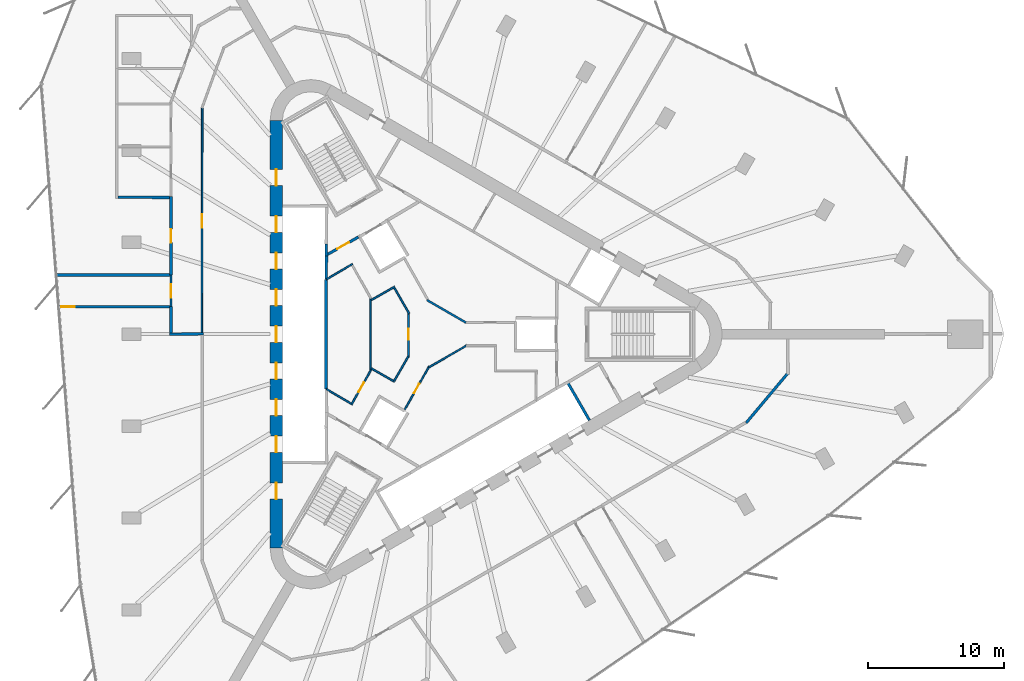
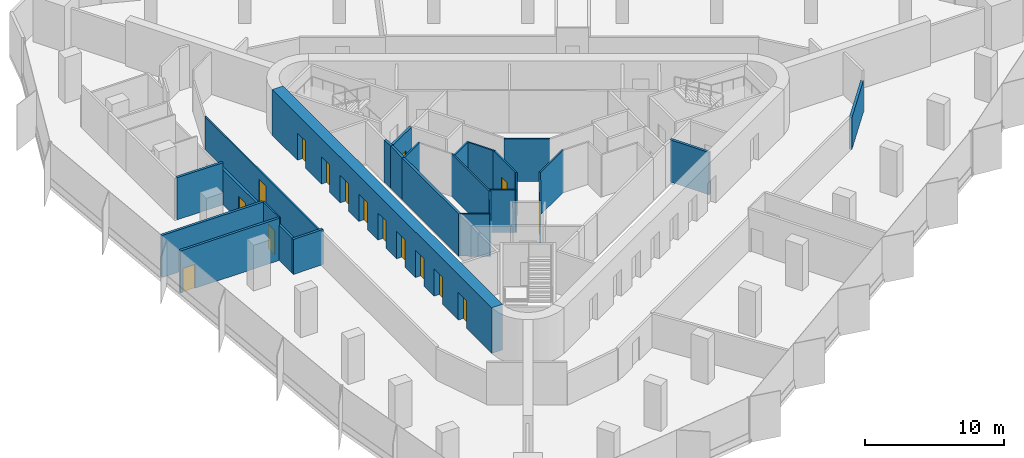
# One storey, part 9 of 13: 27 walls, 17 doors, 17 openings.
"""IFC4 building model written with IfcOpenShell, lengths in metres."""

from ifc_helpers import new_model, si_unit, direction, frame, frame_2d, origin, place, context, subcontext, project, spatial, rectangle, extrude, material, layer, layer_set, type_object, element, fill, save


model = new_model("IFC4")

# Units and contexts
model_context = context("Model", 3, precision=1e-05, world=origin(), true_north=direction((0.0, 1.0)))
body_context = subcontext(model_context, "Body", "Model", "MODEL_VIEW")
ifc_project = project(units=[si_unit("LENGTHUNIT", "METRE"), si_unit("AREAUNIT", "SQUARE_METRE"), si_unit("VOLUMEUNIT", "CUBIC_METRE"), si_unit("PLANEANGLEUNIT", "RADIAN"), si_unit("MASSUNIT", "GRAM", prefix="KILO")], contexts=[model_context])

# Site, building, storey
site_placement = place(None, origin())
site = spatial("IfcSite", under=ifc_project, at=site_placement, CompositionType="ELEMENT")
building_placement = place(site_placement, origin())
building = spatial("IfcBuilding", under=site, at=building_placement, Name="Tanit Gate Tower", CompositionType="ELEMENT")
storey_placement = place(building_placement, frame((0.0, 0.0, 193.199951171875)))
storey = spatial("IfcBuildingStorey", under=building, at=storey_placement, Name="L42", CompositionType="ELEMENT", Elevation=193.199951171875)

# Wall, openings, doors
ifc_material_1 = material(Name="Concrete C50/60", Category="concrete")
ifc_layer_1 = layer(ifc_material_1, 0.89990234375)
ifc_layer_set_1 = layer_set([ifc_layer_1], Name="CORE WALL 900 C50/60")
wall_type_1 = type_object("IfcWallType", Name="CORE WALL 900 C50/60", PredefinedType="SHEAR", material=ifc_layer_set_1)
wall_1_placement = place(storey_placement, frame((-11.64990234375, 15.76171875, 0.0), z_axis=(0.0, 0.0, 1.0), x_axis=(0.0, -1.0, 0.0)))
wall_1 = element("IfcWall", 1, at=wall_1_placement, inside=storey, type_object=wall_type_1, Name="CORE WALL", PredefinedType="SHEAR", context=body_context, shape_type="SweptSolid", body=[
    extrude(rectangle(XDim=31.5234375, YDim=0.89990234375, at=frame_2d((15.76171875, 0.0))), origin(), (0.0, 0.0, 1.0), 4.0),
])
opening_1_placement = place(wall_1_placement, frame((7.061767578125, 0.0, 0.0)))
opening_1 = element("IfcOpeningElement", 2, at=opening_1_placement, cuts=wall_1, Name="Opening LDML1-S11", PredefinedType="OPENING", context=body_context, shape_type="SweptSolid", body=[
    extrude(rectangle(XDim=1.199951171875, YDim=2.39990234375, at=frame_2d((0.60009765625, 1.199951171875))), frame((0.0, 0.4599609375, 0.0), z_axis=(0.0, -1.0, 0.0), x_axis=(1.0, 0.0, 0.0)), (0.0, 0.0, 1.0), 0.919921875),
])
opening_2_placement = place(wall_1_placement, frame((9.76171875, 0.0, 0.0)))
opening_2 = element("IfcOpeningElement", 3, at=opening_2_placement, cuts=wall_1, Name="Opening LDML2-S11", PredefinedType="OPENING", context=body_context, shape_type="SweptSolid", body=[
    extrude(rectangle(XDim=1.199951171875, YDim=2.39990234375, at=frame_2d((0.60009765625, 1.199951171875))), frame((0.0, 0.4599609375, 0.0), z_axis=(0.0, -1.0, 0.0), x_axis=(1.0, 0.0, 0.0)), (0.0, 0.0, 1.0), 0.919921875),
])
opening_3_placement = place(wall_1_placement, frame((12.461669921875, 0.0, 0.0)))
opening_3 = element("IfcOpeningElement", 4, at=opening_3_placement, cuts=wall_1, Name="Opening LDML3-S11", PredefinedType="OPENING", context=body_context, shape_type="SweptSolid", body=[
    extrude(rectangle(XDim=1.199951171875, YDim=2.39990234375, at=frame_2d((0.60009765625, 1.199951171875))), frame((0.0, 0.4599609375, 0.0), z_axis=(0.0, -1.0, 0.0), x_axis=(1.0, 0.0, 0.0)), (0.0, 0.0, 1.0), 0.919921875),
])
opening_4_placement = place(wall_1_placement, frame((15.16162109375, 0.0, 0.0)))
opening_4 = element("IfcOpeningElement", 5, at=opening_4_placement, cuts=wall_1, Name="Opening LDML4-S11", PredefinedType="OPENING", context=body_context, shape_type="SweptSolid", body=[
    extrude(rectangle(XDim=1.199951171875, YDim=2.39990234375, at=frame_2d((0.60009765625, 1.199951171875))), frame((0.0, 0.4599609375, 0.0), z_axis=(0.0, -1.0, 0.0), x_axis=(1.0, 0.0, 0.0)), (0.0, 0.0, 1.0), 0.919921875),
])
opening_5_placement = place(wall_1_placement, frame((17.86181640625, 0.0, 0.0)))
opening_5 = element("IfcOpeningElement", 6, at=opening_5_placement, cuts=wall_1, Name="Opening LDML5-S11", PredefinedType="OPENING", context=body_context, shape_type="SweptSolid", body=[
    extrude(rectangle(XDim=1.199951171875, YDim=2.39990234375, at=frame_2d((0.60009765625, 1.199951171875))), frame((0.0, 0.4599609375, 0.0), z_axis=(0.0, -1.0, 0.0), x_axis=(1.0, 0.0, 0.0)), (0.0, 0.0, 1.0), 0.919921875),
])
opening_6_placement = place(wall_1_placement, frame((20.561767578125, 0.0, 0.0)))
opening_6 = element("IfcOpeningElement", 7, at=opening_6_placement, cuts=wall_1, Name="Opening LDML6-S11", PredefinedType="OPENING", context=body_context, shape_type="SweptSolid", body=[
    extrude(rectangle(XDim=1.199951171875, YDim=2.39990234375, at=frame_2d((0.60009765625, 1.199951171875))), frame((0.0, 0.4599609375, 0.0), z_axis=(0.0, -1.0, 0.0), x_axis=(1.0, 0.0, 0.0)), (0.0, 0.0, 1.0), 0.919921875),
])
opening_7_placement = place(wall_1_placement, frame((23.26171875, 0.0, 0.0)))
opening_7 = element("IfcOpeningElement", 8, at=opening_7_placement, cuts=wall_1, Name="Opening LDML7-S11", PredefinedType="OPENING", context=body_context, shape_type="SweptSolid", body=[
    extrude(rectangle(XDim=1.199951171875, YDim=2.39990234375, at=frame_2d((0.60009765625, 1.199951171875))), frame((0.0, 0.4599609375, 0.0), z_axis=(0.0, -1.0, 0.0), x_axis=(1.0, 0.0, 0.0)), (0.0, 0.0, 1.0), 0.919921875),
])
opening_8_placement = place(wall_1_placement, frame((3.61181640625, 0.0, 0.0)))
opening_8 = element("IfcOpeningElement", 9, at=opening_8_placement, cuts=wall_1, Name="Opening F12-S11-FL2", PredefinedType="OPENING", context=body_context, shape_type="SweptSolid", body=[
    extrude(rectangle(XDim=1.199951171875, YDim=2.39990234375, at=frame_2d((0.60009765625, 1.199951171875))), frame((0.0, 0.4599609375, 0.0), z_axis=(0.0, -1.0, 0.0), x_axis=(1.0, 0.0, 0.0)), (0.0, 0.0, 1.0), 0.919921875),
])
opening_9_placement = place(wall_1_placement, frame((26.711669921875, 0.0, 0.0)))
opening_9 = element("IfcOpeningElement", 10, at=opening_9_placement, cuts=wall_1, Name="Opening F12-S11-S3", PredefinedType="OPENING", context=body_context, shape_type="SweptSolid", body=[
    extrude(rectangle(XDim=1.199951171875, YDim=2.39990234375, at=frame_2d((0.60009765625, 1.199951171875))), frame((0.0, 0.4599609375, 0.0), z_axis=(0.0, -1.0, 0.0), x_axis=(1.0, 0.0, 0.0)), (0.0, 0.0, 1.0), 0.919921875),
])
ifc_material_2 = material(Name="Fire-rated steel door leaf", Category="steel")
door_type_1 = type_object("IfcDoorType", Name="INT-DOOR-FIRE-LOBBY-1200", OperationType="NOTDEFINED", PredefinedType="USERDEFINED", material=ifc_material_2)
door_1_placement = place(opening_8_placement, origin())
door_1 = element("IfcDoor", 11, at=door_1_placement, inside=storey, type_object=door_type_1, Name="Door F12-S11-FL2", ObjectType="FIRE DOOR", OperationType="SINGLE_SWING_RIGHT", OverallHeight=2.39990234375, OverallWidth=1.199951171875, PredefinedType="USERDEFINED", context=body_context, shape_type="SweptSolid", body=[
    extrude(rectangle(XDim=1.199951171875, YDim=2.39990234375, at=frame_2d((0.60009765625, 1.199951171875))), frame((0.0, 0.02490234375, 0.0), z_axis=(0.0, -1.0, 0.0), x_axis=(1.0, 0.0, 0.0)), (0.0, 0.0, 1.0), 0.050048828125),
])
fill(opening_8, door_1)
door_2_placement = place(opening_9_placement, origin())
door_2 = element("IfcDoor", 12, at=door_2_placement, inside=storey, type_object=door_type_1, Name="Door F12-S11-S3", ObjectType="FIRE DOOR", OperationType="SINGLE_SWING_RIGHT", OverallHeight=2.39990234375, OverallWidth=1.199951171875, PredefinedType="USERDEFINED", context=body_context, shape_type="SweptSolid", body=[
    extrude(rectangle(XDim=1.199951171875, YDim=2.39990234375, at=frame_2d((0.60009765625, 1.199951171875))), frame((0.0, 0.02490234375, 0.0), z_axis=(0.0, -1.0, 0.0), x_axis=(1.0, 0.0, 0.0)), (0.0, 0.0, 1.0), 0.050048828125),
])
fill(opening_9, door_2)
ifc_material_3 = material(Name="Stainless steel sliding door leaf", Category="steel")
door_type_2 = type_object("IfcDoorType", Name="INT-DOOR-LANDING-1200", OperationType="NOTDEFINED", PredefinedType="USERDEFINED", material=ifc_material_3)
door_3_placement = place(opening_1_placement, origin())
door_3 = element("IfcDoor", 13, at=door_3_placement, inside=storey, type_object=door_type_2, Name="Door LDML1-S11", ObjectType="LANDING DOOR", OperationType="SLIDING_TO_LEFT", OverallHeight=2.39990234375, OverallWidth=1.199951171875, PredefinedType="USERDEFINED", context=body_context, shape_type="SweptSolid", body=[
    extrude(rectangle(XDim=1.199951171875, YDim=2.39990234375, at=frame_2d((0.60009765625, 1.199951171875))), frame((0.0, 0.02490234375, 0.0), z_axis=(0.0, -1.0, 0.0), x_axis=(1.0, 0.0, 0.0)), (0.0, 0.0, 1.0), 0.050048828125),
])
fill(opening_1, door_3)
door_4_placement = place(opening_2_placement, origin())
door_4 = element("IfcDoor", 14, at=door_4_placement, inside=storey, type_object=door_type_2, Name="Door LDML2-S11", ObjectType="LANDING DOOR", OperationType="SLIDING_TO_LEFT", OverallHeight=2.39990234375, OverallWidth=1.199951171875, PredefinedType="USERDEFINED", context=body_context, shape_type="SweptSolid", body=[
    extrude(rectangle(XDim=1.199951171875, YDim=2.39990234375, at=frame_2d((0.60009765625, 1.199951171875))), frame((0.0, 0.02490234375, 0.0), z_axis=(0.0, -1.0, 0.0), x_axis=(1.0, 0.0, 0.0)), (0.0, 0.0, 1.0), 0.050048828125),
])
fill(opening_2, door_4)
door_5_placement = place(opening_3_placement, origin())
door_5 = element("IfcDoor", 15, at=door_5_placement, inside=storey, type_object=door_type_2, Name="Door LDML3-S11", ObjectType="LANDING DOOR", OperationType="SLIDING_TO_LEFT", OverallHeight=2.39990234375, OverallWidth=1.199951171875, PredefinedType="USERDEFINED", context=body_context, shape_type="SweptSolid", body=[
    extrude(rectangle(XDim=1.199951171875, YDim=2.39990234375, at=frame_2d((0.60009765625, 1.199951171875))), frame((0.0, 0.02490234375, 0.0), z_axis=(0.0, -1.0, 0.0), x_axis=(1.0, 0.0, 0.0)), (0.0, 0.0, 1.0), 0.050048828125),
])
fill(opening_3, door_5)
door_6_placement = place(opening_4_placement, origin())
door_6 = element("IfcDoor", 16, at=door_6_placement, inside=storey, type_object=door_type_2, Name="Door LDML4-S11", ObjectType="LANDING DOOR", OperationType="SLIDING_TO_LEFT", OverallHeight=2.39990234375, OverallWidth=1.199951171875, PredefinedType="USERDEFINED", context=body_context, shape_type="SweptSolid", body=[
    extrude(rectangle(XDim=1.199951171875, YDim=2.39990234375, at=frame_2d((0.60009765625, 1.199951171875))), frame((0.0, 0.02490234375, 0.0), z_axis=(0.0, -1.0, 0.0), x_axis=(1.0, 0.0, 0.0)), (0.0, 0.0, 1.0), 0.050048828125),
])
fill(opening_4, door_6)
door_7_placement = place(opening_5_placement, origin())
door_7 = element("IfcDoor", 17, at=door_7_placement, inside=storey, type_object=door_type_2, Name="Door LDML5-S11", ObjectType="LANDING DOOR", OperationType="SLIDING_TO_LEFT", OverallHeight=2.39990234375, OverallWidth=1.199951171875, PredefinedType="USERDEFINED", context=body_context, shape_type="SweptSolid", body=[
    extrude(rectangle(XDim=1.199951171875, YDim=2.39990234375, at=frame_2d((0.60009765625, 1.199951171875))), frame((0.0, 0.02490234375, 0.0), z_axis=(0.0, -1.0, 0.0), x_axis=(1.0, 0.0, 0.0)), (0.0, 0.0, 1.0), 0.050048828125),
])
fill(opening_5, door_7)
door_8_placement = place(opening_6_placement, origin())
door_8 = element("IfcDoor", 18, at=door_8_placement, inside=storey, type_object=door_type_2, Name="Door LDML6-S11", ObjectType="LANDING DOOR", OperationType="SLIDING_TO_LEFT", OverallHeight=2.39990234375, OverallWidth=1.199951171875, PredefinedType="USERDEFINED", context=body_context, shape_type="SweptSolid", body=[
    extrude(rectangle(XDim=1.199951171875, YDim=2.39990234375, at=frame_2d((0.60009765625, 1.199951171875))), frame((0.0, 0.02490234375, 0.0), z_axis=(0.0, -1.0, 0.0), x_axis=(1.0, 0.0, 0.0)), (0.0, 0.0, 1.0), 0.050048828125),
])
fill(opening_6, door_8)
door_9_placement = place(opening_7_placement, origin())
door_9 = element("IfcDoor", 19, at=door_9_placement, inside=storey, type_object=door_type_2, Name="Door LDML7-S11", ObjectType="LANDING DOOR", OperationType="SLIDING_TO_LEFT", OverallHeight=2.39990234375, OverallWidth=1.199951171875, PredefinedType="USERDEFINED", context=body_context, shape_type="SweptSolid", body=[
    extrude(rectangle(XDim=1.199951171875, YDim=2.39990234375, at=frame_2d((0.60009765625, 1.199951171875))), frame((0.0, 0.02490234375, 0.0), z_axis=(0.0, -1.0, 0.0), x_axis=(1.0, 0.0, 0.0)), (0.0, 0.0, 1.0), 0.050048828125),
])
fill(opening_7, door_9)

# Wall, opening, door
ifc_material_4 = material(Name="Fire-rated gypsum board partition")
ifc_layer_2 = layer(ifc_material_4, 0.199951171875)
ifc_layer_set_2 = layer_set([ifc_layer_2], Name="INT-WALL-COMPARTMENT")
wall_type_2 = type_object("IfcWallType", Name="INT-WALL-COMPARTMENT", PredefinedType="PARTITIONING", material=ifc_layer_set_2)
wall_2_placement = place(storey_placement, frame((-5.600341796875, 7.16015625, 0.0), z_axis=(0.0, 0.0, 1.0), x_axis=(-0.871363259478, -0.490638431059, 0.0)))
wall_2 = element("IfcWall", 20, at=wall_2_placement, inside=storey, type_object=wall_type_2, Name="Wall Compartment W060", PredefinedType="PARTITIONING", context=body_context, shape_type="SweptSolid", body=[
    extrude(rectangle(XDim=2.5810546875, YDim=0.199951171875, at=frame_2d((1.29052734375, 0.0))), origin(), (0.0, 0.0, 1.0), 3.699951171875),
])
opening_10_placement = place(wall_2_placement, frame((0.79052734375, 0.0, 0.0)))
opening_10 = element("IfcOpeningElement", 21, at=opening_10_placement, cuts=wall_2, Name="Opening F10-S11-05", PredefinedType="OPENING", context=body_context, shape_type="SweptSolid", body=[
    extrude(rectangle(XDim=1.0, YDim=2.10009765625, at=frame_2d((0.5, 1.050048828125))), frame((0.0, 0.10986328125, 0.0), z_axis=(0.0, -1.0, 0.0), x_axis=(1.0, 0.0, 0.0)), (0.0, 0.0, 1.0), 0.219970703125),
])
ifc_material_5 = material(Name="Fire-rated steel door leaf", Category="steel")
door_type_3 = type_object("IfcDoorType", Name="INT-DOOR-FIRE-1000", OperationType="NOTDEFINED", PredefinedType="USERDEFINED", material=ifc_material_5)
door_10_placement = place(opening_10_placement, origin())
door_10 = element("IfcDoor", 22, at=door_10_placement, inside=storey, type_object=door_type_3, Name="Door F10-S11-05", ObjectType="FIRE DOOR", OperationType="SINGLE_SWING_LEFT", OverallHeight=2.10009765625, OverallWidth=1.0, PredefinedType="USERDEFINED", context=body_context, shape_type="SweptSolid", body=[
    extrude(rectangle(XDim=1.0, YDim=2.10009765625, at=frame_2d((0.5, 1.050048828125))), frame((0.0, 0.02490234375, 0.0), z_axis=(0.0, -1.0, 0.0), x_axis=(1.0, 0.0, 0.0)), (0.0, 0.0, 1.0), 0.050048828125),
])
fill(opening_10, door_10)

# Wall
wall_3_placement = place(storey_placement, frame((-19.5, -0.001220703125, 0.0), z_axis=(0.0, 0.0, 1.0), x_axis=(0.999915662945, 0.012987185857, 0.0)))
element("IfcWall", 23, at=wall_3_placement, inside=storey, type_object=wall_type_2, Name="Wall Compartment W086", PredefinedType="PARTITIONING", context=body_context, shape_type="SweptSolid", body=[
    extrude(rectangle(XDim=2.500244140625, YDim=0.199951171875, at=frame_2d((1.25, 0.0))), origin(), (0.0, 0.0, 1.0), 3.070068359375),
])

# Wall, opening, door
wall_4_placement = place(storey_placement, frame((-19.39990234375, 10.1298828125, 0.0), z_axis=(0.0, 0.0, 1.0), x_axis=(0.0, -1.0, 0.0)))
wall_4 = element("IfcWall", 24, at=wall_4_placement, inside=storey, type_object=wall_type_2, Name="Wall Compartment W088", PredefinedType="PARTITIONING", context=body_context, shape_type="SweptSolid", body=[
    extrude(rectangle(XDim=5.77978515625, YDim=0.199951171875, at=frame_2d((2.889892578125, 0.0))), origin(), (0.0, 0.0, 1.0), 3.070068359375),
])
opening_11_placement = place(wall_4_placement, frame((2.3798828125, 0.0, 0.0)))
opening_11 = element("IfcOpeningElement", 25, at=opening_11_placement, cuts=wall_4, Name="Opening F10-S11-26", PredefinedType="OPENING", context=body_context, shape_type="SweptSolid", body=[
    extrude(rectangle(XDim=1.0, YDim=2.10009765625, at=frame_2d((0.5, 1.050048828125))), frame((0.0, 0.10986328125, 0.0), z_axis=(0.0, -1.0, 0.0), x_axis=(1.0, 0.0, 0.0)), (0.0, 0.0, 1.0), 0.219970703125),
])
door_11_placement = place(opening_11_placement, origin())
door_11 = element("IfcDoor", 26, at=door_11_placement, inside=storey, type_object=door_type_3, Name="Door F10-S11-26", ObjectType="FIRE DOOR", OperationType="SINGLE_SWING_LEFT", OverallHeight=2.10009765625, OverallWidth=1.0, PredefinedType="USERDEFINED", context=body_context, shape_type="SweptSolid", body=[
    extrude(rectangle(XDim=1.0, YDim=2.10009765625, at=frame_2d((0.5, 1.050048828125))), frame((0.0, 0.02490234375, 0.0), z_axis=(0.0, -1.0, 0.0), x_axis=(1.0, 0.0, 0.0)), (0.0, 0.0, 1.0), 0.050048828125),
])
fill(opening_11, door_11)

# Walls
wall_5_placement = place(storey_placement, frame((-19.39990234375, 2.050048828125, 0.0), z_axis=(0.0, 0.0, 1.0), x_axis=(0.0, -1.0, 0.0)))
element("IfcWall", 27, at=wall_5_placement, inside=storey, type_object=wall_type_2, Name="Wall Compartment W087", PredefinedType="PARTITIONING", context=body_context, shape_type="SweptSolid", body=[
    extrude(rectangle(XDim=1.949951171875, YDim=0.199951171875, at=frame_2d((0.97509765625, 0.0))), origin(), (0.0, 0.0, 1.0), 3.070068359375),
])
wall_6_placement = place(storey_placement, frame((22.968017578125, -6.5244140625, 0.0), z_axis=(0.0, 0.0, 1.0), x_axis=(0.642764400317, 0.766063917493, 0.0)))
element("IfcWall", 28, at=wall_6_placement, inside=storey, type_object=wall_type_2, Name="Wall Compartment W109", PredefinedType="PARTITIONING", context=body_context, shape_type="SweptSolid", body=[
    extrude(rectangle(XDim=4.740234375, YDim=0.199951171875, at=frame_2d((2.3701171875, 0.0))), origin(), (0.0, 0.0, 1.0), 2.780029296875),
])

# Wall, opening, door
wall_7_placement = place(storey_placement, frame((-27.681396484375, 2.02978515625, 0.0), z_axis=(0.0, 0.0, 1.0), x_axis=(0.999999999559, 2.969562e-05, 0.0)))
wall_7 = element("IfcWall", 29, at=wall_7_placement, inside=storey, type_object=wall_type_2, Name="Wall Compartment W115", PredefinedType="PARTITIONING", context=body_context, shape_type="SweptSolid", body=[
    extrude(rectangle(XDim=8.221435546875, YDim=0.199951171875, at=frame_2d((4.11083984375, 0.0))), origin(), (0.0, 0.0, 1.0), 3.699951171875),
])
opening_12_placement = place(wall_7_placement, frame((0.199951171875, 0.0, 0.0)))
opening_12 = element("IfcOpeningElement", 30, at=opening_12_placement, cuts=wall_7, Name="Opening F10-S11-25", PredefinedType="OPENING", context=body_context, shape_type="SweptSolid", body=[
    extrude(rectangle(XDim=1.0, YDim=2.10009765625, at=frame_2d((0.5, 1.050048828125))), frame((0.0, 0.10986328125, 0.0), z_axis=(0.0, -1.0, 0.0), x_axis=(1.0, 0.0, 0.0)), (0.0, 0.0, 1.0), 0.219970703125),
])
door_12_placement = place(opening_12_placement, origin())
door_12 = element("IfcDoor", 31, at=door_12_placement, inside=storey, type_object=door_type_3, Name="Door F10-S11-25", ObjectType="FIRE DOOR", OperationType="SINGLE_SWING_LEFT", OverallHeight=2.10009765625, OverallWidth=1.0, PredefinedType="USERDEFINED", context=body_context, shape_type="SweptSolid", body=[
    extrude(rectangle(XDim=1.0, YDim=2.10009765625, at=frame_2d((0.5, 1.050048828125))), frame((0.0, 0.02490234375, 0.0), z_axis=(0.0, -1.0, 0.0), x_axis=(1.0, 0.0, 0.0)), (0.0, 0.0, 1.0), 0.050048828125),
])
fill(opening_12, door_12)

# Walls
wall_8_placement = place(storey_placement, frame((-19.4599609375, 4.3701171875, 0.0), z_axis=(0.0, 0.0, 1.0), x_axis=(-1.0, 0.0, 0.0)))
element("IfcWall", 32, at=wall_8_placement, inside=storey, type_object=wall_type_2, Name="Wall Compartment W116", PredefinedType="PARTITIONING", context=body_context, shape_type="SweptSolid", body=[
    extrude(rectangle(XDim=8.404296875, YDim=0.199951171875, at=frame_2d((4.2021484375, 0.0))), origin(), (0.0, 0.0, 1.0), 3.699951171875),
])
wall_9_placement = place(storey_placement, frame((-23.300048828125, 10.099365234375, 0.0), z_axis=(0.0, 0.0, 1.0), x_axis=(0.999971749569, -0.007516652406, 0.0)))
element("IfcWall", 33, at=wall_9_placement, inside=storey, type_object=wall_type_2, Name="Wall Compartment W122", PredefinedType="PARTITIONING", context=body_context, shape_type="SweptSolid", body=[
    extrude(rectangle(XDim=3.800048828125, YDim=0.199951171875, at=frame_2d((1.89990234375, 0.0))), origin(), (0.0, 0.0, 1.0), 3.699951171875),
])

# Wall, opening, door
ifc_material_6 = material(Name="Gypsum board partition")
ifc_layer_3 = layer(ifc_material_6, 0.1201171875)
ifc_layer_set_3 = layer_set([ifc_layer_3], Name="INT-WALL-PARTITION")
wall_type_3 = type_object("IfcWallType", Name="INT-WALL-PARTITION", PredefinedType="PARTITIONING", material=ifc_layer_set_3)
wall_10_placement = place(storey_placement, frame((-0.3828125, -2.361328125, 0.0), z_axis=(0.0, 0.0, 1.0), x_axis=(-0.492992395315, -0.870033618983, 0.0)))
wall_10 = element("IfcWall", 34, at=wall_10_placement, inside=storey, type_object=wall_type_3, Name="Wall Partition W066", PredefinedType="PARTITIONING", context=body_context, shape_type="SweptSolid", body=[
    extrude(rectangle(XDim=3.66357421875, YDim=0.1201171875, at=frame_2d((1.831787109375, 0.0))), origin(), (0.0, 0.0, 1.0), 3.699951171875),
])
opening_13_placement = place(wall_10_placement, frame((1.48291015625, 0.0, 0.0)))
opening_13 = element("IfcOpeningElement", 35, at=opening_13_placement, cuts=wall_10, Name="Opening R08-S11-11", PredefinedType="OPENING", context=body_context, shape_type="SweptSolid", body=[
    extrude(rectangle(XDim=0.800048828125, YDim=2.10009765625, at=frame_2d((0.39990234375, 1.050048828125))), frame((0.0, 0.070068359375, 0.0), z_axis=(0.0, -1.0, 0.0), x_axis=(1.0, 0.0, 0.0)), (0.0, 0.0, 1.0), 0.14013671875),
])
ifc_material_7 = material(Name="Timber door leaf", Category="wood")
door_type_4 = type_object("IfcDoorType", Name="INT-DOOR-RISER-800", OperationType="NOTDEFINED", PredefinedType="USERDEFINED", material=ifc_material_7)
door_13_placement = place(opening_13_placement, origin())
door_13 = element("IfcDoor", 36, at=door_13_placement, inside=storey, type_object=door_type_4, Name="Door R08-S11-11", ObjectType="FIRE DOOR", OperationType="SINGLE_SWING_RIGHT", OverallHeight=2.10009765625, OverallWidth=0.800048828125, PredefinedType="USERDEFINED", context=body_context, shape_type="SweptSolid", body=[
    extrude(rectangle(XDim=0.800048828125, YDim=2.10009765625, at=frame_2d((0.39990234375, 1.050048828125))), frame((0.0, 0.02490234375, 0.0), z_axis=(0.0, -1.0, 0.0), x_axis=(1.0, 0.0, 0.0)), (0.0, 0.0, 1.0), 0.050048828125),
])
fill(opening_13, door_13)

# Walls
wall_11_placement = place(storey_placement, frame((2.42822265625, -0.798095703125, 0.0), z_axis=(0.0, 0.0, 1.0), x_axis=(-0.866034586814, -0.499984094189, 0.0)))
element("IfcWall", 37, at=wall_11_placement, inside=storey, type_object=wall_type_3, Name="Wall Partition W067", PredefinedType="PARTITIONING", context=body_context, shape_type="SweptSolid", body=[
    extrude(rectangle(XDim=3.28466796875, YDim=0.1201171875, at=frame_2d((1.642333984375, 0.0))), origin(), (0.0, 0.0, 1.0), 3.699951171875),
])
wall_12_placement = place(storey_placement, frame((-4.700927734375, -2.7421875, 0.0), z_axis=(0.0, 0.0, 1.0), x_axis=(0.0, 1.0, 0.0)))
element("IfcWall", 38, at=wall_12_placement, inside=storey, type_object=wall_type_3, Name="Wall Partition W072", PredefinedType="PARTITIONING", context=body_context, shape_type="SweptSolid", body=[
    extrude(rectangle(XDim=5.484375, YDim=0.1201171875, at=frame_2d((2.7421875, 0.0))), origin(), (0.0, 0.0, 1.0), 3.699951171875),
])

# Wall, opening, door
wall_13_placement = place(storey_placement, frame((-6.11767578125, -5.197509765625, 0.0), z_axis=(0.0, 0.0, 1.0), x_axis=(0.491036167924, 0.871139186233, 0.0)))
wall_13 = element("IfcWall", 39, at=wall_13_placement, inside=storey, type_object=wall_type_3, Name="Wall Partition W073", PredefinedType="PARTITIONING", context=body_context, shape_type="SweptSolid", body=[
    extrude(rectangle(XDim=2.916015625, YDim=0.1201171875, at=frame_2d((1.4580078125, 0.0))), origin(), (0.0, 0.0, 1.0), 3.699951171875),
])
opening_14_placement = place(wall_13_placement, frame((1.088134765625, 0.0, 0.0)))
opening_14 = element("IfcOpeningElement", 40, at=opening_14_placement, cuts=wall_13, Name="Opening R08-S11-12", PredefinedType="OPENING", context=body_context, shape_type="SweptSolid", body=[
    extrude(rectangle(XDim=0.800048828125, YDim=2.10009765625, at=frame_2d((0.39990234375, 1.050048828125))), frame((0.0, 0.070068359375, 0.0), z_axis=(0.0, -1.0, 0.0), x_axis=(1.0, 0.0, 0.0)), (0.0, 0.0, 1.0), 0.14013671875),
])
door_14_placement = place(opening_14_placement, origin())
door_14 = element("IfcDoor", 41, at=door_14_placement, inside=storey, type_object=door_type_4, Name="Door R08-S11-12", ObjectType="FIRE DOOR", OperationType="SINGLE_SWING_RIGHT", OverallHeight=2.10009765625, OverallWidth=0.800048828125, PredefinedType="USERDEFINED", context=body_context, shape_type="SweptSolid", body=[
    extrude(rectangle(XDim=0.800048828125, YDim=2.10009765625, at=frame_2d((0.39990234375, 1.050048828125))), frame((0.0, 0.02490234375, 0.0), z_axis=(0.0, -1.0, 0.0), x_axis=(1.0, 0.0, 0.0)), (0.0, 0.0, 1.0), 0.050048828125),
])
fill(opening_14, door_14)

# Walls
wall_14_placement = place(storey_placement, frame((-7.949951171875, -4.041015625, 0.0), z_axis=(0.0, 0.0, 1.0), x_axis=(0.860112457103, -0.510104461004, 0.0)))
element("IfcWall", 42, at=wall_14_placement, inside=storey, type_object=wall_type_3, Name="Wall Partition W074", PredefinedType="PARTITIONING", context=body_context, shape_type="SweptSolid", body=[
    extrude(rectangle(XDim=2.1044921875, YDim=0.1201171875, at=frame_2d((1.05224609375, 0.0))), origin(), (0.0, 0.0, 1.0), 3.699951171875),
])
wall_15_placement = place(storey_placement, frame((-6.03662109375, 5.17578125, 0.0), z_axis=(0.0, 0.0, 1.0), x_axis=(-0.860106072674, -0.510115225953, 0.0)))
element("IfcWall", 43, at=wall_15_placement, inside=storey, type_object=wall_type_3, Name="Wall Partition W075", PredefinedType="PARTITIONING", context=body_context, shape_type="SweptSolid", body=[
    extrude(rectangle(XDim=2.224609375, YDim=0.1201171875, at=frame_2d((1.1123046875, 0.0))), origin(), (0.0, 0.0, 1.0), 3.699951171875),
])
wall_16_placement = place(storey_placement, frame((-2.93408203125, 3.502197265625, 0.0), z_axis=(0.0, 0.0, 1.0), x_axis=(-0.866039121236, -0.499976239924, 0.0)))
element("IfcWall", 44, at=wall_16_placement, inside=storey, type_object=wall_type_3, Name="Wall Partition W077", PredefinedType="PARTITIONING", context=body_context, shape_type="SweptSolid", body=[
    extrude(rectangle(XDim=1.970703125, YDim=0.1201171875, at=frame_2d((0.9853515625, 0.0))), origin(), (0.0, 0.0, 1.0), 3.699951171875),
])
wall_17_placement = place(storey_placement, frame((-1.853271484375, 1.510009765625, 0.0), z_axis=(0.0, 0.0, 1.0), x_axis=(-0.499984350684, 0.866034438732, 0.0)))
element("IfcWall", 45, at=wall_17_placement, inside=storey, type_object=wall_type_3, Name="Wall Partition W078", PredefinedType="PARTITIONING", context=body_context, shape_type="SweptSolid", body=[
    extrude(rectangle(XDim=2.20556640625, YDim=0.1201171875, at=frame_2d((1.102783203125, 0.0))), origin(), (0.0, 0.0, 1.0), 3.699951171875),
])

# Wall, opening, door
wall_18_placement = place(storey_placement, frame((-1.9052734375, -1.703857421875, 0.0), z_axis=(0.0, 0.0, 1.0), x_axis=(0.0, 1.0, 0.0)))
wall_18 = element("IfcWall", 46, at=wall_18_placement, inside=storey, type_object=wall_type_3, Name="Wall Partition W079", PredefinedType="PARTITIONING", context=body_context, shape_type="SweptSolid", body=[
    extrude(rectangle(XDim=3.285400390625, YDim=0.1201171875, at=frame_2d((1.642578125, 0.0))), origin(), (0.0, 0.0, 1.0), 3.699951171875),
])
opening_15_placement = place(wall_18_placement, frame((1.294677734375, 0.0, 0.0)))
opening_15 = element("IfcOpeningElement", 47, at=opening_15_placement, cuts=wall_18, Name="Opening R08-S11-13", PredefinedType="OPENING", context=body_context, shape_type="SweptSolid", body=[
    extrude(rectangle(XDim=0.800048828125, YDim=2.10009765625, at=frame_2d((0.39990234375, 1.050048828125))), frame((0.0, 0.070068359375, 0.0), z_axis=(0.0, -1.0, 0.0), x_axis=(1.0, 0.0, 0.0)), (0.0, 0.0, 1.0), 0.14013671875),
])
door_15_placement = place(opening_15_placement, origin())
door_15 = element("IfcDoor", 48, at=door_15_placement, inside=storey, type_object=door_type_4, Name="Door R08-S11-13", ObjectType="FIRE DOOR", OperationType="SINGLE_SWING_LEFT", OverallHeight=2.10009765625, OverallWidth=0.800048828125, PredefinedType="USERDEFINED", context=body_context, shape_type="SweptSolid", body=[
    extrude(rectangle(XDim=0.800048828125, YDim=2.10009765625, at=frame_2d((0.39990234375, 1.050048828125))), frame((0.0, 0.02490234375, 0.0), z_axis=(0.0, -1.0, 0.0), x_axis=(1.0, 0.0, 0.0)), (0.0, 0.0, 1.0), 0.050048828125),
])
fill(opening_15, door_15)

# Walls
wall_19_placement = place(storey_placement, frame((-3.01611328125, -3.524169921875, 0.0), z_axis=(0.0, 0.0, 1.0), x_axis=(0.499952654668, 0.866052736899, 0.0)))
element("IfcWall", 49, at=wall_19_placement, inside=storey, type_object=wall_type_3, Name="Wall Partition W080", PredefinedType="PARTITIONING", context=body_context, shape_type="SweptSolid", body=[
    extrude(rectangle(XDim=2.203369140625, YDim=0.1201171875, at=frame_2d((1.1015625, 0.0))), origin(), (0.0, 0.0, 1.0), 3.699951171875),
])
wall_20_placement = place(storey_placement, frame((-4.640869140625, -2.516845703125, 0.0), z_axis=(0.0, 0.0, 1.0), x_axis=(0.866042797968, -0.49996987118, 0.0)))
element("IfcWall", 50, at=wall_20_placement, inside=storey, type_object=wall_type_3, Name="Wall Partition W081", PredefinedType="PARTITIONING", context=body_context, shape_type="SweptSolid", body=[
    extrude(rectangle(XDim=1.8505859375, YDim=0.1201171875, at=frame_2d((0.92529296875, 0.0))), origin(), (0.0, 0.0, 1.0), 3.699951171875),
])

# Wall, opening, door
wall_21_placement = place(storey_placement, frame((-17.1298828125, 0.0, 0.0), z_axis=(0.0, 0.0, 1.0), x_axis=(0.001787542932, 0.999998402344, 0.0)))
wall_21 = element("IfcWall", 51, at=wall_21_placement, inside=storey, type_object=wall_type_3, Name="Wall Partition W084", PredefinedType="PARTITIONING", context=body_context, shape_type="SweptSolid", body=[
    extrude(rectangle(XDim=16.66259765625, YDim=0.1201171875, at=frame_2d((8.331298828125, 0.0))), origin(), (0.0, 0.0, 1.0), 2.880126953125),
])
opening_16_placement = place(wall_21_placement, frame((7.831298828125, 0.0, 0.0)))
opening_16 = element("IfcOpeningElement", 52, at=opening_16_placement, cuts=wall_21, Name="Opening D10-S11-17", PredefinedType="OPENING", context=body_context, shape_type="SweptSolid", body=[
    extrude(rectangle(XDim=1.0, YDim=2.10009765625, at=frame_2d((0.5, 1.050048828125))), frame((0.0, 0.070068359375, 0.0), z_axis=(0.0, -1.0, 0.0), x_axis=(1.0, 0.0, 0.0)), (0.0, 0.0, 1.0), 0.14013671875),
])
ifc_material_8 = material(Name="Timber door leaf", Category="wood")
door_type_5 = type_object("IfcDoorType", Name="INT-DOOR-SINGLE-1000", OperationType="NOTDEFINED", PredefinedType="NOTDEFINED", material=ifc_material_8)
door_16_placement = place(opening_16_placement, origin())
door_16 = element("IfcDoor", 53, at=door_16_placement, inside=storey, type_object=door_type_5, Name="Door D10-S11-17", OperationType="SINGLE_SWING_RIGHT", OverallHeight=2.10009765625, OverallWidth=1.0, PredefinedType="NOTDEFINED", context=body_context, shape_type="SweptSolid", body=[
    extrude(rectangle(XDim=1.0, YDim=2.10009765625, at=frame_2d((0.5, 1.050048828125))), frame((0.0, 0.02490234375, 0.0), z_axis=(0.0, -1.0, 0.0), x_axis=(1.0, 0.0, 0.0)), (0.0, 0.0, 1.0), 0.050048828125),
])
fill(opening_16, door_16)

wall_22_placement = place(storey_placement, frame((-19.39990234375, 4.35009765625, 0.0), z_axis=(0.0, 0.0, 1.0), x_axis=(0.0, -1.0, 0.0)))
wall_22 = element("IfcWall", 54, at=wall_22_placement, inside=storey, type_object=wall_type_3, Name="Wall Partition W085", PredefinedType="PARTITIONING", context=body_context, shape_type="SweptSolid", body=[
    extrude(rectangle(XDim=2.300048828125, YDim=0.1201171875, at=frame_2d((1.14990234375, 0.0))), origin(), (0.0, 0.0, 1.0), 3.699951171875),
])
opening_17_placement = place(wall_22_placement, frame((0.64990234375, 0.0, 0.0)))
opening_17 = element("IfcOpeningElement", 55, at=opening_17_placement, cuts=wall_22, Name="Opening D10-S11-18", PredefinedType="OPENING", context=body_context, shape_type="SweptSolid", body=[
    extrude(rectangle(XDim=1.0, YDim=2.10009765625, at=frame_2d((0.5, 1.050048828125))), frame((0.0, 0.070068359375, 0.0), z_axis=(0.0, -1.0, 0.0), x_axis=(1.0, 0.0, 0.0)), (0.0, 0.0, 1.0), 0.14013671875),
])
door_17_placement = place(opening_17_placement, origin())
door_17 = element("IfcDoor", 56, at=door_17_placement, inside=storey, type_object=door_type_5, Name="Door D10-S11-18", OperationType="SINGLE_SWING_RIGHT", OverallHeight=2.10009765625, OverallWidth=1.0, PredefinedType="NOTDEFINED", context=body_context, shape_type="SweptSolid", body=[
    extrude(rectangle(XDim=1.0, YDim=2.10009765625, at=frame_2d((0.5, 1.050048828125))), frame((0.0, 0.02490234375, 0.0), z_axis=(0.0, -1.0, 0.0), x_axis=(1.0, 0.0, 0.0)), (0.0, 0.0, 1.0), 0.050048828125),
])
fill(opening_17, door_17)

# Walls
ifc_material_9 = material(Name="Fire-rated gypsum board partition")
ifc_layer_4 = layer(ifc_material_9, 0.14990234375)
ifc_layer_set_4 = layer_set([ifc_layer_4], Name="INT-WALL-RISER")
wall_type_4 = type_object("IfcWallType", Name="INT-WALL-RISER", PredefinedType="PLUMBINGWALL", material=ifc_layer_set_4)
wall_23_placement = place(storey_placement, frame((-0.54345703125, 2.513671875, 0.0), z_axis=(0.0, 0.0, 1.0), x_axis=(0.866042846705, -0.499969786758, 0.0)))
element("IfcWall", 57, at=wall_23_placement, inside=storey, type_object=wall_type_4, Name="Wall Riser W064", PredefinedType="PLUMBINGWALL", context=body_context, shape_type="SweptSolid", body=[
    extrude(rectangle(XDim=3.303955078125, YDim=0.14990234375, at=frame_2d((1.65185546875, 0.0))), origin(), (0.0, 0.0, 1.0), 3.699951171875),
])
ifc_material_10 = material(Name="Gypsum shaft wall system")
ifc_layer_5 = layer(ifc_material_10, 0.199951171875)
ifc_layer_set_5 = layer_set([ifc_layer_5], Name="INT-WALL-SHAFT")
wall_type_5 = type_object("IfcWallType", Name="INT-WALL-SHAFT", PredefinedType="PLUMBINGWALL", material=ifc_layer_set_5)
wall_24_placement = place(storey_placement, frame((-7.97705078125, 6.650146484375, 0.0), z_axis=(0.0, 0.0, 1.0), x_axis=(0.030861509705, -0.999523670164, 0.0)))
element("IfcWall", 58, at=wall_24_placement, inside=storey, type_object=wall_type_5, Name="Wall Shaft W003", PredefinedType="PLUMBINGWALL", context=body_context, shape_type="SweptSolid", body=[
    extrude(rectangle(XDim=0.878173828125, YDim=0.199951171875, at=frame_2d((0.43896484375, 0.0))), origin(), (0.0, 0.0, 1.0), 3.699951171875),
])
wall_25_placement = place(storey_placement, frame((-7.94921875, 5.894775390625, 0.0), z_axis=(0.0, 0.0, 1.0), x_axis=(-0.012042535896, -0.999927486035, 0.0)))
element("IfcWall", 59, at=wall_25_placement, inside=storey, type_object=wall_type_5, Name="Wall Shaft W004", PredefinedType="PLUMBINGWALL", context=body_context, shape_type="SweptSolid", body=[
    extrude(rectangle(XDim=1.844970703125, YDim=0.199951171875, at=frame_2d((0.92236328125, 0.0))), origin(), (0.0, 0.0, 1.0), 3.699951171875),
])
wall_26_placement = place(storey_placement, frame((-7.97998046875, 4.050048828125, 0.0), z_axis=(0.0, 0.0, 1.0), x_axis=(0.0, -1.0, 0.0)))
element("IfcWall", 60, at=wall_26_placement, inside=storey, type_object=wall_type_5, Name="Wall Shaft W005", PredefinedType="PLUMBINGWALL", context=body_context, shape_type="SweptSolid", body=[
    extrude(rectangle(XDim=8.10009765625, YDim=0.199951171875, at=frame_2d((4.050048828125, 0.0))), origin(), (0.0, 0.0, 1.0), 3.699951171875),
])
wall_27_placement = place(storey_placement, frame((9.794677734375, -3.52490234375, 0.0), z_axis=(0.0, 0.0, 1.0), x_axis=(0.499984717929, -0.866034226713, 0.0)))
element("IfcWall", 61, at=wall_27_placement, inside=storey, type_object=wall_type_5, Name="Wall Shaft W016", PredefinedType="PLUMBINGWALL", context=body_context, shape_type="SweptSolid", body=[
    extrude(rectangle(XDim=3.25, YDim=0.199951171875, at=frame_2d((1.625, 0.0))), origin(), (0.0, 0.0, 1.0), 3.699951171875),
])

save(model, "model.ifc")
